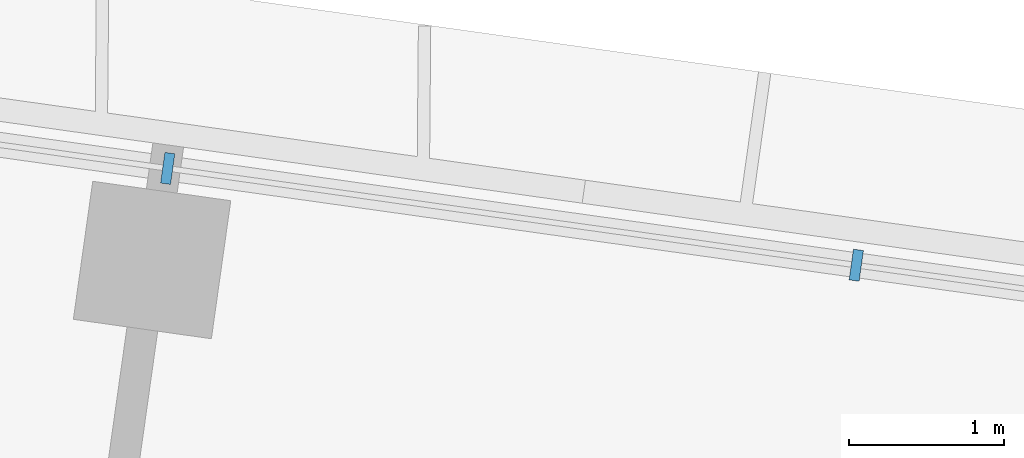
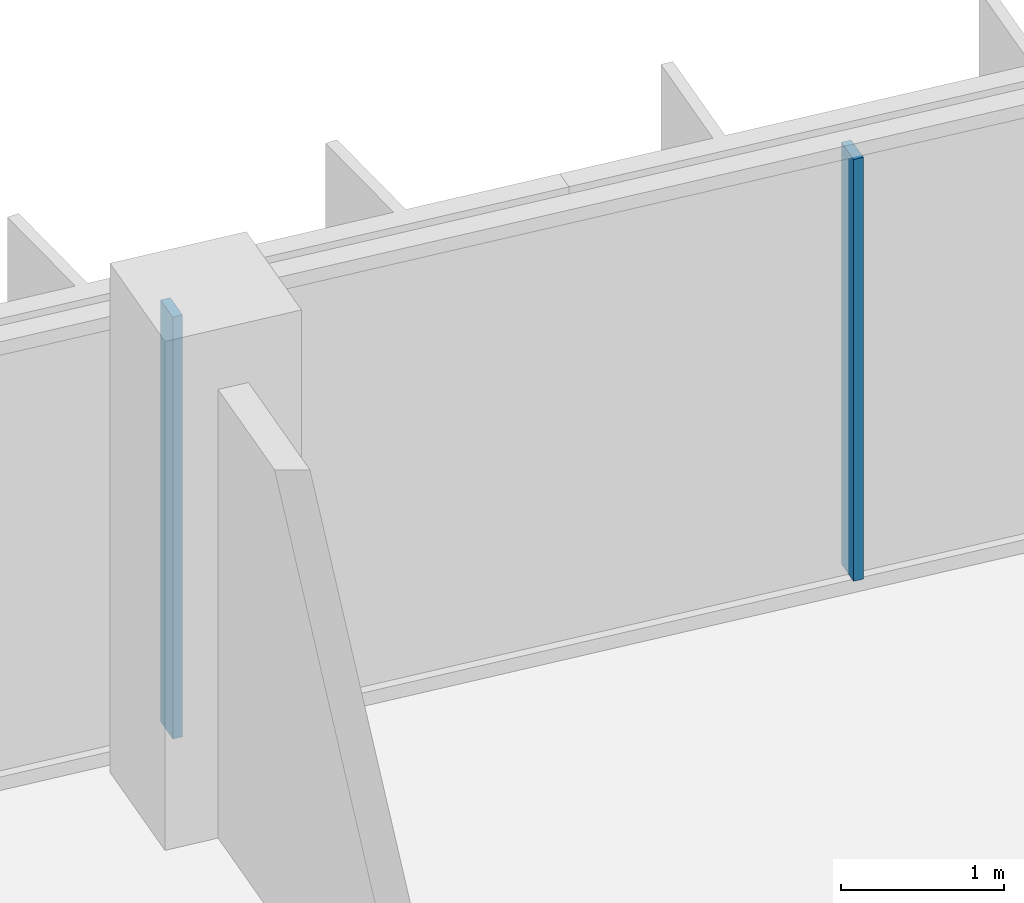
# One storey, part 3 of 25: 2 members, 1 element without a shape of its own.
"""IFC4 building model written with IfcOpenShell, lengths in metres."""

from ifc_helpers import new_model, si_unit, direction, frame, origin, origin_2d, place, context, subcontext, project, spatial, rectangle, extrude, material, material_profile, profile_set, type_object, element, aggregate, save


model = new_model("IFC4")

# Units and contexts
model_context = context("Model", 3, precision=1e-05, world=origin(), true_north=direction((0.0, 1.0)))
body_context = subcontext(model_context, "Body", "Model", "MODEL_VIEW")
ifc_project = project(units=[si_unit("LENGTHUNIT", "METRE"), si_unit("AREAUNIT", "SQUARE_METRE"), si_unit("VOLUMEUNIT", "CUBIC_METRE"), si_unit("PLANEANGLEUNIT", "RADIAN"), si_unit("MASSUNIT", "GRAM", prefix="KILO")], contexts=[model_context])

# Site, building, storey
site_placement = place(None, origin())
site = spatial("IfcSite", under=ifc_project, at=site_placement, CompositionType="ELEMENT")
building_placement = place(site_placement, origin())
building = spatial("IfcBuilding", under=site, at=building_placement, Name="Mirante Cascada Hotel Towers", CompositionType="ELEMENT")
storey_placement = place(building_placement, frame((0.0, 0.0, 136.7)))
storey = spatial("IfcBuildingStorey", under=building, at=storey_placement, Name="L31", CompositionType="ELEMENT", Elevation=136.7)

# Curtain wall, members
ifc_material_1 = material(Name="Aluminium mullion and transom frame with clear laminated glass", Category="aluminium")
curtain_wall_type = type_object("IfcCurtainWallType", Name="Ribbon curtain wall ECW1", PredefinedType="NOTDEFINED", material=ifc_material_1)
curtain_wall_placement = place(storey_placement, origin())
curtain_wall = element("IfcCurtainWall", 1, at=curtain_wall_placement, inside=storey, type_object=curtain_wall_type, Name="Front ribbon wall T1 L31", PredefinedType="NOTDEFINED")
ifc_material_2 = material(Name="Anodised aluminium extrusion", Category="aluminium")
ifc_material_profile = material_profile(ifc_material_2, rectangle(XDim=0.2, YDim=0.065, at=origin_2d()), Name="ECW1 MULLION 65x200")
ifc_profile_set = profile_set([ifc_material_profile], Name="Anodised aluminium extrusion")
member_type = type_object("IfcMemberType", Name="ECW1 mullion 65x200", PredefinedType="MULLION", material=ifc_profile_set)
member_1_placement = place(storey_placement, frame((-71.9211, 22.9269, 0.1), z_axis=(0.0, 0.0, 1.0), x_axis=(0.1391731, 0.9902681, 0.0)))
member_1 = element("IfcMember", 2, at=member_1_placement, type_object=member_type, Name="ECW1 mullion 6", PredefinedType="MULLION", context=body_context, shape_type="SweptSolid", body=[
    extrude(rectangle(XDim=0.2, YDim=0.065, at=origin_2d()), origin(), (0.0, 0.0, 1.0), 3.15),
])
member_2_placement = place(storey_placement, frame((-67.4737, 22.3018, 0.1), z_axis=(0.0, 0.0, 1.0), x_axis=(0.1391731, 0.9902681, 0.0)))
member_2 = element("IfcMember", 3, at=member_2_placement, type_object=member_type, Name="ECW1 mullion 7", PredefinedType="MULLION", context=body_context, shape_type="SweptSolid", body=[
    extrude(rectangle(XDim=0.2, YDim=0.065, at=origin_2d()), origin(), (0.0, 0.0, 1.0), 3.15),
])
aggregate(curtain_wall, [member_1, member_2])

save(model, "model.ifc")
